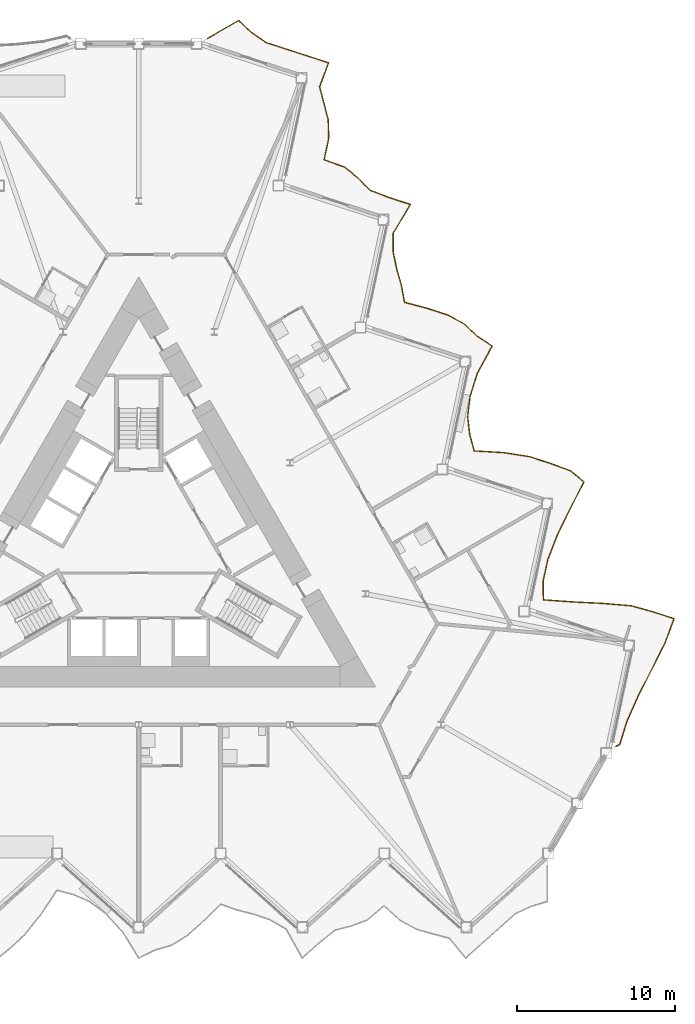
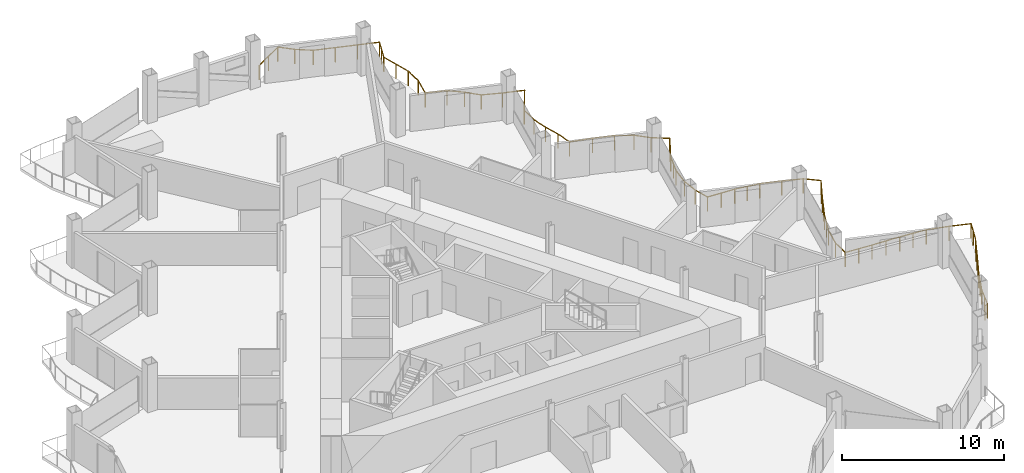
# One storey, part 21 of 23: 1 railing.
"""IFC4 building model written with IfcOpenShell, lengths in metres."""

import ifcopenshell
import ifcopenshell.guid

model = None  # the IFC model being written
_history = None  # IfcOwnerHistory: only IFC2X3 demands one
_inside = {}  # id of a spatial element -> (the spatial element, [elements in it])
_under = {}  # id of a project, library or spatial element -> (it, [spatial elements below it])
_declared = {}  # id of a project -> (the project, [libraries it declares])
_typed = {}  # id of a type object -> (the type object, [elements of that type])
_made_of = {}  # id of a material, layer set ... -> (it, [elements and type objects made of it])


def new_model(schema):
    """Start an empty IFC model of exactly this schema.

    Asked for "IFC4X3", IfcOpenShell would pick the latest addendum, in which some entities
    have other attributes; the version numbers below select the first issue.
    IFC2X3 requires an IfcOwnerHistory on every rooted entity: one is made here for all.
    """
    global model, _history
    if schema == "IFC4X3":
        model = ifcopenshell.file(schema_version=(4, 3, 0, 0))
    else:
        model = ifcopenshell.file(schema=schema)
    _inside.clear()
    _under.clear()
    _declared.clear()
    _typed.clear()
    _made_of.clear()
    _history = None
    if model.schema == "IFC2X3":
        org = make("IfcOrganization", Name="unknown")
        user = make(
            "IfcPersonAndOrganization",
            ThePerson=make("IfcPerson", FamilyName="unknown"),
            TheOrganization=org,
        )
        app = make(
            "IfcApplication",
            ApplicationDeveloper=org,
            Version="unknown",
            ApplicationFullName="unknown",
            ApplicationIdentifier="unknown",
        )
        _history = make(
            "IfcOwnerHistory",
            OwningUser=user,
            OwningApplication=app,
            ChangeAction="ADDED",
            CreationDate=0,
        )
    return model


def make(cls, **values):
    """One entity of the class cls with the attributes given. An attribute that is None is left unset."""
    return model.create_entity(
        cls, **{name: value for name, value in values.items() if value is not None}
    )


def rooted(cls, **values):
    """An entity with a GlobalId (a new one), such as an element, a storey or a relation."""
    return make(cls, GlobalId=ifcopenshell.guid.new(), OwnerHistory=_history, **values)


def si_unit(unit_type, name, prefix=None):
    """IfcSIUnit, for example si_unit("LENGTHUNIT", "METRE", prefix="MILLI")."""
    return make("IfcSIUnit", UnitType=unit_type, Prefix=prefix, Name=name)


def assignment(units):
    """IfcUnitAssignment: the units of a project."""
    return None if units is None else make("IfcUnitAssignment", Units=units)


def point(xyz):
    """IfcCartesianPoint."""
    return None if xyz is None else make("IfcCartesianPoint", Coordinates=xyz)


def direction(xyz):
    """IfcDirection."""
    return None if xyz is None else make("IfcDirection", DirectionRatios=xyz)


def frame(location, z_axis=None, x_axis=None):
    """IfcAxis2Placement3D, a coordinate frame: its origin and axes. An axis left out is left unset."""
    return make(
        "IfcAxis2Placement3D",
        Location=point(location),
        Axis=direction(z_axis),
        RefDirection=direction(x_axis),
    )


def frame_2d(location, x_axis=None):
    """IfcAxis2Placement2D, a coordinate frame in the plane: its origin and x axis."""
    return make(
        "IfcAxis2Placement2D", Location=point(location), RefDirection=direction(x_axis)
    )


def origin():
    """The frame at (0, 0, 0) with its axes left unset."""
    return frame((0.0, 0.0, 0.0))


def origin_2d():
    """The frame at (0, 0) in the plane with its x axis left unset."""
    return frame_2d((0.0, 0.0))


def place(relative_to, where):
    """IfcLocalPlacement: puts the frame where relative to a parent placement (None: the world)."""
    return make(
        "IfcLocalPlacement", PlacementRelTo=relative_to, RelativePlacement=where
    )


def context(
    kind, dimensions, precision=None, world=None, true_north=None, identifier=None
):
    """IfcGeometricRepresentationContext, for example the 3D "Model" context."""
    return make(
        "IfcGeometricRepresentationContext",
        ContextIdentifier=identifier,
        ContextType=kind,
        CoordinateSpaceDimension=dimensions,
        Precision=precision,
        WorldCoordinateSystem=world,
        TrueNorth=true_north,
    )


def subcontext(parent, identifier, kind, view, scale=None):
    """IfcGeometricRepresentationSubContext, for example "Body" below "Model"."""
    return make(
        "IfcGeometricRepresentationSubContext",
        ContextIdentifier=identifier,
        ContextType=kind,
        ParentContext=parent,
        TargetScale=scale,
        TargetView=view,
    )


def project(units=None, contexts=None):
    """IfcProject with its units and contexts."""
    return rooted(
        "IfcProject",
        Name="project",
        RepresentationContexts=contexts,
        UnitsInContext=assignment(units),
    )


def spatial(cls, under=None, at=None, **own):
    """A site, building, storey or space (cls), placed at a placement, below another one or the project."""
    s = rooted(cls, ObjectPlacement=at, **own)
    if under is not None:
        _under.setdefault(under.id(), (under, []))[1].append(s)
    return s


def profile(cls, at=None, kind="AREA", **sizes):
    """A parametric profile (cls). Its sizes go by their IFC names, for example OverallWidth=200.0."""
    return make(cls, ProfileType=kind, Position=at, **sizes)


def circle(**sizes):
    """IfcCircleProfileDef."""
    return profile("IfcCircleProfileDef", **sizes)


def extrude(swept, where, along, depth):
    """IfcExtrudedAreaSolid: the profile swept, set in the frame where, extruded along a direction by depth."""
    return make(
        "IfcExtrudedAreaSolid",
        SweptArea=swept,
        Position=where,
        ExtrudedDirection=direction(along),
        Depth=depth,
    )


def shape(context_of_items, identifier, shape_type, items):
    """IfcShapeRepresentation: the items that make up one representation, for example the "Body"."""
    return make(
        "IfcShapeRepresentation",
        ContextOfItems=context_of_items,
        RepresentationIdentifier=identifier,
        RepresentationType=shape_type,
        Items=items,
    )


def material(Name=None, Category=None):
    """IfcMaterial."""
    return make("IfcMaterial", Name=Name, Category=Category)


def made_of(thing, what):
    """Note that an element or type object is made of a material, layer set ...; save() writes the relation."""
    if what is not None:
        _made_of.setdefault(what.id(), (what, []))[1].append(thing)
    return thing


def type_object(cls, material=None, **own):
    """A type object (cls), such as IfcWallType, which elements share."""
    return made_of(rooted(cls, **own), material)


def element(
    cls,
    number,
    at=None,
    inside=None,
    cuts=None,
    type_object=None,
    material=None,
    context=None,
    identifier="Body",
    shape_type=None,
    held_by="IfcProductDefinitionShape",
    body=None,
    shapes=None,
    **own,
):
    """One element of the class cls, such as IfcWall. Its Tag is "e" and its number.

    at: its placement. inside: the storey or other place that contains it. cuts: it is an
    opening in that element (IfcRelVoidsElement). A single representation is given by context,
    identifier, shape_type and body (its items); several are given by shapes. held_by: the class
    of the entity that holds the representations. save() writes the other relations.
    """
    e = rooted(cls, Tag="e%d" % number, ObjectPlacement=at, **own)
    if body is not None:
        shapes = [shape(context, identifier, shape_type, body)]
    if shapes is not None:
        e.Representation = make(held_by, Representations=shapes)
    if inside is not None:
        _inside.setdefault(inside.id(), (inside, []))[1].append(e)
    if cuts is not None:
        rooted(
            "IfcRelVoidsElement", RelatingBuildingElement=cuts, RelatedOpeningElement=e
        )
    if type_object is not None:
        _typed.setdefault(type_object.id(), (type_object, []))[1].append(e)
    return made_of(e, material)


def aggregate(whole, parts):
    """IfcRelAggregates: a whole, such as a stair, and the parts it consists of."""
    return rooted("IfcRelAggregates", RelatingObject=whole, RelatedObjects=parts)


def save(model, path):
    """Write the relations noted so far, then the file.

    IfcRelAggregates (storeys below a building ...), IfcRelContainedInSpatialStructure (elements
    in a storey), IfcRelDefinesByType, IfcRelAssociatesMaterial and IfcRelDeclares: one each for
    every whole, place, type object, material and project.
    """
    for whole, parts in _under.values():
        aggregate(whole, parts)
    for where, things in _inside.values():
        rooted(
            "IfcRelContainedInSpatialStructure",
            RelatedElements=things,
            RelatingStructure=where,
        )
    for kind, things in _typed.values():
        rooted("IfcRelDefinesByType", RelatedObjects=things, RelatingType=kind)
    for what, things in _made_of.values():
        rooted("IfcRelAssociatesMaterial", RelatedObjects=things, RelatingMaterial=what)
    for by, libraries in _declared.values():
        rooted("IfcRelDeclares", RelatingContext=by, RelatedDefinitions=libraries)
    model.write(path)


model = new_model("IFC4")

# Units and contexts
model_context = context("Model", 3, precision=1e-05, world=origin(), true_north=direction((0.0, 1.0)))
body_context = subcontext(model_context, "Body", "Model", "MODEL_VIEW")
ifc_project = project(units=[si_unit("LENGTHUNIT", "METRE"), si_unit("AREAUNIT", "SQUARE_METRE"), si_unit("VOLUMEUNIT", "CUBIC_METRE"), si_unit("PLANEANGLEUNIT", "RADIAN"), si_unit("MASSUNIT", "GRAM", prefix="KILO")], contexts=[model_context])

# Site, building, storey
site_placement = place(None, origin())
site = spatial("IfcSite", under=ifc_project, at=site_placement, CompositionType="ELEMENT")
building_placement = place(site_placement, origin())
building = spatial("IfcBuilding", under=site, at=building_placement, Name="Cormorant Prow Tower", CompositionType="ELEMENT")
storey_placement = place(building_placement, frame((0.0, 0.0, 252.60009765625)))
storey = spatial("IfcBuildingStorey", under=building, at=storey_placement, Name="L56", CompositionType="ELEMENT", Elevation=252.60009765625)

# Railing
ifc_material = material(Name="Aluminium 6063-T6", Category="aluminium")
railing_type = type_object("IfcRailingType", Name="Balcony guard 1100", PredefinedType="GUARDRAIL", material=ifc_material)
railing_placement = place(storey_placement, frame((30.246337890625, -12.441162109375, 0.0)))
element("IfcRailing", 1, at=railing_placement, inside=storey, type_object=railing_type, Name="Balcony guard ENE", PredefinedType="GUARDRAIL", context=body_context, shape_type="SweptSolid", body=[
    extrude(circle(Radius=0.02392578125, at=origin_2d()), frame((0.0, 0.0, 1.076171875), z_axis=(0.866065156741, 0.499931139538, 0.0), x_axis=(-0.499931139538, 0.866065156741, 0.0)), (0.0, 0.0, 1.0), 0.27001953125),
    extrude(circle(Radius=0.02392578125, at=origin_2d()), frame((0.23388671875, 0.135009765625, 1.076171875), z_axis=(0.294299972374, 0.955713098299, 0.0), x_axis=(-0.955713098299, 0.294299972374, 0.0)), (0.0, 0.0, 1.0), 1.522216796875),
    extrude(circle(Radius=0.02392578125, at=origin_2d()), frame((0.681884765625, 1.58984375, 1.076171875), z_axis=(0.407127228951, 0.913371457539, 0.0), x_axis=(-0.913371457539, 0.407127228951, 0.0)), (0.0, 0.0, 1.0), 1.763671875),
    extrude(circle(Radius=0.02392578125, at=origin_2d()), frame((1.39990234375, 3.20068359375, 1.076171875), z_axis=(0.453979632385, 0.891012061299, 0.0), x_axis=(-0.891012061299, 0.453979632385, 0.0)), (0.0, 0.0, 1.0), 1.901611328125),
    extrude(circle(Radius=0.02392578125, at=origin_2d()), frame((2.26318359375, 4.89501953125, 1.076171875), z_axis=(0.447057728956, 0.894505107297, 0.0), x_axis=(-0.894505107297, 0.447057728956, 0.0)), (0.0, 0.0, 1.0), 1.879638671875),
    extrude(circle(Radius=0.02392578125, at=origin_2d()), frame((3.103515625, 6.576416015625, 1.076171875), z_axis=(0.350630761082, 0.93651378494, 0.0), x_axis=(-0.93651378494, 0.350630761082, 0.0)), (0.0, 0.0, 1.0), 1.62939453125),
    extrude(circle(Radius=0.02392578125, at=origin_2d()), frame((3.6748046875, 8.102294921875, 1.076171875), z_axis=(-0.951021197096, 0.309125674563, 0.0), x_axis=(-0.309125674563, -0.951021197096, 0.0)), (0.0, 0.0, 1.0), 1.39404296875),
    extrude(circle(Radius=0.02392578125, at=origin_2d()), frame((2.34912109375, 8.533203125, 1.076171875), z_axis=(-0.963748634798, 0.26681186054, 0.0), x_axis=(-0.26681186054, -0.963748634798, 0.0)), (0.0, 0.0, 1.0), 1.453125),
    extrude(circle(Radius=0.02392578125, at=origin_2d()), frame((0.94873046875, 8.9208984375, 1.076171875), z_axis=(-0.996428689002, 0.084438544128, 0.0), x_axis=(-0.084438544128, -0.996428689002, 0.0)), (0.0, 0.0, 1.0), 1.81298828125),
    extrude(circle(Radius=0.02392578125, at=origin_2d()), frame((-0.857666015625, 9.073974609375, 1.076171875), z_axis=(-0.998803697457, 0.04889963136, 0.0), x_axis=(-0.04889963136, -0.998803697457, 0.0)), (0.0, 0.0, 1.0), 1.912109375),
    extrude(circle(Radius=0.02392578125, at=origin_2d()), frame((-2.767578125, 9.16748046875, 1.076171875), z_axis=(-0.997431119576, 0.071632127575, 0.0), x_axis=(-0.071632127575, -0.997431119576, 0.0)), (0.0, 0.0, 1.0), 1.84716796875),
    extrude(circle(Radius=0.02392578125, at=origin_2d()), frame((-4.610107421875, 9.2998046875, 1.076171875), z_axis=(-0.007378360333, 0.999972779529, 0.0), x_axis=(-0.999972779529, -0.007378360333, 0.0)), (0.0, 0.0, 1.0), 1.191162109375),
    extrude(circle(Radius=0.02392578125, at=origin_2d()), frame((-4.618896484375, 10.490966796875, 1.076171875), z_axis=(0.212161625073, 0.977234590488, 0.0), x_axis=(-0.977234590488, 0.212161625073, 0.0)), (0.0, 0.0, 1.0), 1.399169921875),
    extrude(circle(Radius=0.02392578125, at=origin_2d()), frame((-4.322021484375, 11.8583984375, 1.076171875), z_axis=(0.362524550887, 0.931974221749, 0.0), x_axis=(-0.931974221749, 0.362524550887, 0.0)), (0.0, 0.0, 1.0), 1.6552734375),
    extrude(circle(Radius=0.02392578125, at=origin_2d()), frame((-3.721923828125, 13.401123046875, 1.076171875), z_axis=(0.43871164054, 0.898627896548, 0.0), x_axis=(-0.898627896548, 0.43871164054, 0.0)), (0.0, 0.0, 1.0), 1.853759765625),
    extrude(circle(Radius=0.02392578125, at=origin_2d()), frame((-2.90869140625, 15.06689453125, 1.076171875), z_axis=(0.456845668936, 0.889545971142, 0.0), x_axis=(-0.889545971142, 0.456845668936, 0.0)), (0.0, 0.0, 1.0), 1.9111328125),
    extrude(circle(Radius=0.02392578125, at=origin_2d()), frame((-2.03564453125, 16.766845703125, 1.076171875), z_axis=(-0.771413907703, 0.636333704122, 0.0), x_axis=(-0.636333704122, -0.771413907703, 0.0)), (0.0, 0.0, 1.0), 1.106201171875),
    extrude(circle(Radius=0.02392578125, at=origin_2d()), frame((-2.888916015625, 17.470703125, 1.076171875), z_axis=(-0.93895619029, 0.344036731638, 0.0), x_axis=(-0.344036731638, -0.93895619029, 0.0)), (0.0, 0.0, 1.0), 1.349609375),
    extrude(circle(Radius=0.02392578125, at=origin_2d()), frame((-4.15625, 17.93505859375, 1.076171875), z_axis=(-0.951021197096, 0.309125674563, 0.0), x_axis=(-0.309125674563, -0.951021197096, 0.0)), (0.0, 0.0, 1.0), 1.39404296875),
    extrude(circle(Radius=0.02392578125, at=origin_2d()), frame((-5.48193359375, 18.365966796875, 1.076171875), z_axis=(-0.987880369937, 0.155217185561, 0.0), x_axis=(-0.155217185561, -0.987880369937, 0.0)), (0.0, 0.0, 1.0), 1.6484375),
    extrude(circle(Radius=0.02392578125, at=origin_2d()), frame((-7.1103515625, 18.621826171875, 1.076171875), z_axis=(-0.998283298158, 0.058570100048, 0.0), x_axis=(-0.058570100048, -0.998283298158, 0.0)), (0.0, 0.0, 1.0), 1.884033203125),
    extrude(circle(Radius=0.02392578125, at=origin_2d()), frame((-8.9912109375, 18.732177734375, 1.076171875), z_axis=(-0.261786926871, 0.965125693845, 0.0), x_axis=(-0.965125693845, -0.261786926871, 0.0)), (0.0, 0.0, 1.0), 1.071533203125),
    extrude(circle(Radius=0.02392578125, at=origin_2d()), frame((-9.271728515625, 19.766357421875, 1.076171875), z_axis=(-0.114156334584, 0.993462798133, 0.0), x_axis=(-0.993462798133, -0.114156334584, 0.0)), (0.0, 0.0, 1.0), 1.129150390625),
    extrude(circle(Radius=0.02392578125, at=origin_2d()), frame((-9.400634765625, 20.88818359375, 1.076171875), z_axis=(0.112782096262, 0.993619745558, 0.0), x_axis=(-0.993619745558, 0.112782096262, 0.0)), (0.0, 0.0, 1.0), 1.2880859375),
    extrude(circle(Radius=0.02392578125, at=origin_2d()), frame((-9.25537109375, 22.16796875, 1.076171875), z_axis=(0.300902773755, 0.953654822641, 0.0), x_axis=(-0.953654822641, 0.300902773755, 0.0)), (0.0, 0.0, 1.0), 1.533447265625),
    extrude(circle(Radius=0.02392578125, at=origin_2d()), frame((-8.7939453125, 23.63037109375, 1.076171875), z_axis=(0.475674539098, 0.879621357662, 0.0), x_axis=(-0.879621357662, 0.475674539098, 0.0)), (0.0, 0.0, 1.0), 1.9775390625),
    extrude(circle(Radius=0.02392578125, at=origin_2d()), frame((-7.853271484375, 25.369873046875, 1.076171875), z_axis=(-0.832828955903, 0.553530423924, 0.0), x_axis=(-0.553530423924, -0.832828955903, 0.0)), (0.0, 0.0, 1.0), 1.156494140625),
    extrude(circle(Radius=0.02392578125, at=origin_2d()), frame((-8.81640625, 26.010009765625, 1.076171875), z_axis=(-0.72265659814, 0.691207234601, 0.0), x_axis=(-0.691207234601, -0.72265659814, 0.0)), (0.0, 0.0, 1.0), 1.0791015625),
    extrude(circle(Radius=0.02392578125, at=origin_2d()), frame((-9.59619140625, 26.755859375, 1.076171875), z_axis=(-0.877880193336, 0.478880325496, 0.0), x_axis=(-0.478880325496, -0.877880193336, 0.0)), (0.0, 0.0, 1.0), 1.21337890625),
    extrude(circle(Radius=0.02392578125, at=origin_2d()), frame((-10.661376953125, 27.3369140625, 1.076171875), z_axis=(-0.951021197096, 0.309125674563, 0.0), x_axis=(-0.309125674563, -0.951021197096, 0.0)), (0.0, 0.0, 1.0), 1.39404296875),
    extrude(circle(Radius=0.02392578125, at=origin_2d()), frame((-11.987060546875, 27.767822265625, 1.076171875), z_axis=(-0.966223886396, 0.257704096509, 0.0), x_axis=(-0.257704096509, -0.966223886396, 0.0)), (0.0, 0.0, 1.0), 1.466552734375),
    extrude(circle(Radius=0.02392578125, at=origin_2d()), frame((-13.404052734375, 28.145751953125, 1.076171875), z_axis=(-0.180721649259, 0.983534282823, 0.0), x_axis=(-0.983534282823, -0.180721649259, 0.0)), (0.0, 0.0, 1.0), 1.099609375),
    extrude(circle(Radius=0.02392578125, at=origin_2d()), frame((-13.602783203125, 29.227294921875, 1.076171875), z_axis=(-0.276291580603, 0.961073859018, 0.0), x_axis=(-0.961073859018, -0.276291580603, 0.0)), (0.0, 0.0, 1.0), 1.0673828125),
    extrude(circle(Radius=0.02392578125, at=origin_2d()), frame((-13.897705078125, 30.253173828125, 1.076171875), z_axis=(-0.202006381345, 0.979384205456, 0.0), x_axis=(-0.979384205456, -0.202006381345, 0.0)), (0.0, 0.0, 1.0), 1.09130859375),
    extrude(circle(Radius=0.02392578125, at=origin_2d()), frame((-14.1181640625, 31.322021484375, 1.076171875), z_axis=(0.002649267247, 0.999996490685, 0.0), x_axis=(-0.999996490685, 0.002649267247, 0.0)), (0.0, 0.0, 1.0), 1.197998046875),
    extrude(circle(Radius=0.02392578125, at=origin_2d()), frame((-14.114990234375, 32.52001953125, 1.076171875), z_axis=(0.510813011647, 0.859691844286, 0.0), x_axis=(-0.859691844286, 0.510813011647, 0.0)), (0.0, 0.0, 1.0), 2.1181640625),
    extrude(circle(Radius=0.02392578125, at=origin_2d()), frame((-13.032958984375, 34.341064453125, 1.076171875), z_axis=(-0.95107267583, 0.308967256015, 0.0), x_axis=(-0.308967256015, -0.95107267583, 0.0)), (0.0, 0.0, 1.0), 1.393798828125),
    extrude(circle(Radius=0.02392578125, at=origin_2d()), frame((-14.358642578125, 34.771728515625, 1.076171875), z_axis=(-0.933830730851, 0.357715202526, 0.0), x_axis=(-0.357715202526, -0.933830730851, 0.0)), (0.0, 0.0, 1.0), 1.33349609375),
    extrude(circle(Radius=0.02392578125, at=origin_2d()), frame((-15.60400390625, 35.248779296875, 1.076171875), z_axis=(-0.696399223042, 0.717654598081, 0.0), x_axis=(-0.717654598081, -0.696399223042, 0.0)), (0.0, 0.0, 1.0), 1.068115234375),
    extrude(circle(Radius=0.02392578125, at=origin_2d()), frame((-16.347900390625, 36.015380859375, 1.076171875), z_axis=(-0.776490869114, 0.630128502912, 0.0), x_axis=(-0.630128502912, -0.776490869114, 0.0)), (0.0, 0.0, 1.0), 1.109375),
    extrude(circle(Radius=0.02392578125, at=origin_2d()), frame((-17.209228515625, 36.71435546875, 1.076171875), z_axis=(-0.942429568351, 0.334404707948, 0.0), x_axis=(-0.334404707948, -0.942429568351, 0.0)), (0.0, 0.0, 1.0), 1.361572265625),
    extrude(circle(Radius=0.02392578125, at=origin_2d()), frame((-18.492431640625, 37.169677734375, 1.076171875), z_axis=(0.207890175504, 0.978152173708, 0.0), x_axis=(-0.978152173708, 0.207890175504, 0.0)), (0.0, 0.0, 1.0), 1.39404296875),
    extrude(circle(Radius=0.02392578125, at=origin_2d()), frame((-18.20263671875, 38.533203125, 1.076171875), z_axis=(-0.02904544062, 0.999578092186, 0.0), x_axis=(-0.999578092186, -0.02904544062, 0.0)), (0.0, 0.0, 1.0), 1.1767578125),
    extrude(circle(Radius=0.02392578125, at=origin_2d()), frame((-18.23681640625, 39.70947265625, 1.076171875), z_axis=(-0.250970040909, 0.967994854618, 0.0), x_axis=(-0.967994854618, -0.250970040909, 0.0)), (0.0, 0.0, 1.0), 1.074951171875),
    extrude(circle(Radius=0.02392578125, at=origin_2d()), frame((-18.506591796875, 40.75, 1.076171875), z_axis=(-0.258356799597, 0.966049566069, 0.0), x_axis=(-0.966049566069, -0.258356799597, 0.0)), (0.0, 0.0, 1.0), 1.072509765625),
    extrude(circle(Radius=0.02392578125, at=origin_2d()), frame((-18.78369140625, 41.7861328125, 1.076171875), z_axis=(0.350630761082, 0.93651378494, 0.0), x_axis=(-0.93651378494, 0.350630761082, 0.0)), (0.0, 0.0, 1.0), 1.62939453125),
    extrude(circle(Radius=0.02392578125, at=origin_2d()), frame((-18.21240234375, 43.31201171875, 1.076171875), z_axis=(-0.951021197096, 0.309125674563, 0.0), x_axis=(-0.309125674563, -0.951021197096, 0.0)), (0.0, 0.0, 1.0), 1.39404296875),
    extrude(circle(Radius=0.02392578125, at=origin_2d()), frame((-19.5380859375, 43.742919921875, 1.076171875), z_axis=(-0.95107267583, 0.308967256015, 0.0), x_axis=(-0.308967256015, -0.95107267583, 0.0)), (0.0, 0.0, 1.0), 1.393798828125),
    extrude(circle(Radius=0.02392578125, at=origin_2d()), frame((-20.86376953125, 44.173583984375, 1.076171875), z_axis=(-0.95107267583, 0.308967256015, 0.0), x_axis=(-0.308967256015, -0.95107267583, 0.0)), (0.0, 0.0, 1.0), 1.393798828125),
    extrude(circle(Radius=0.02392578125, at=origin_2d()), frame((-22.189453125, 44.604248046875, 1.076171875), z_axis=(-0.81973305197, 0.572745775635, 0.0), x_axis=(-0.572745775635, -0.81973305197, 0.0)), (0.0, 0.0, 1.0), 1.1435546875),
    extrude(circle(Radius=0.02392578125, at=origin_2d()), frame((-23.126953125, 45.25927734375, 1.076171875), z_axis=(-0.726267218488, 0.687412487048, 0.0), x_axis=(-0.687412487048, -0.726267218488, 0.0)), (0.0, 0.0, 1.0), 1.080810546875),
    extrude(circle(Radius=0.02392578125, at=origin_2d()), frame((-23.911865234375, 46.002197265625, 1.076171875), z_axis=(-0.866052595322, -0.499952899918, 0.0), x_axis=(0.499952899918, -0.866052595322, 0.0)), (0.0, 0.0, 1.0), 2.292724609375),
    extrude(circle(Radius=0.02099609375, at=origin_2d()), origin(), (0.0, 0.0, 1.0), 1.052001953125),
    extrude(circle(Radius=0.02099609375, at=origin_2d()), frame((0.23388671875, 0.135009765625, 0.0)), (0.0, 0.0, 1.0), 1.052001953125),
    extrude(circle(Radius=0.02099609375, at=origin_2d()), frame((0.4580078125, 0.8623046875, 0.0)), (0.0, 0.0, 1.0), 1.052001953125),
    extrude(circle(Radius=0.02099609375, at=origin_2d()), frame((0.681884765625, 1.58984375, 0.0)), (0.0, 0.0, 1.0), 1.052001953125),
    extrude(circle(Radius=0.02099609375, at=origin_2d()), frame((1.041015625, 2.395263671875, 0.0)), (0.0, 0.0, 1.0), 1.052001953125),
    extrude(circle(Radius=0.02099609375, at=origin_2d()), frame((1.39990234375, 3.20068359375, 0.0)), (0.0, 0.0, 1.0), 1.052001953125),
    extrude(circle(Radius=0.02099609375, at=origin_2d()), frame((1.83154296875, 4.0478515625, 0.0)), (0.0, 0.0, 1.0), 1.052001953125),
    extrude(circle(Radius=0.02099609375, at=origin_2d()), frame((2.26318359375, 4.89501953125, 0.0)), (0.0, 0.0, 1.0), 1.052001953125),
    extrude(circle(Radius=0.02099609375, at=origin_2d()), frame((2.683349609375, 5.73583984375, 0.0)), (0.0, 0.0, 1.0), 1.052001953125),
    extrude(circle(Radius=0.02099609375, at=origin_2d()), frame((3.103515625, 6.576416015625, 0.0)), (0.0, 0.0, 1.0), 1.052001953125),
    extrude(circle(Radius=0.02099609375, at=origin_2d()), frame((3.38916015625, 7.33935546875, 0.0)), (0.0, 0.0, 1.0), 1.052001953125),
    extrude(circle(Radius=0.02099609375, at=origin_2d()), frame((3.6748046875, 8.102294921875, 0.0)), (0.0, 0.0, 1.0), 1.052001953125),
    extrude(circle(Radius=0.02099609375, at=origin_2d()), frame((2.34912109375, 8.533203125, 0.0)), (0.0, 0.0, 1.0), 1.052001953125),
    extrude(circle(Radius=0.02099609375, at=origin_2d()), frame((0.94873046875, 8.9208984375, 0.0)), (0.0, 0.0, 1.0), 1.052001953125),
    extrude(circle(Radius=0.02099609375, at=origin_2d()), frame((0.04541015625, 8.99755859375, 0.0)), (0.0, 0.0, 1.0), 1.052001953125),
    extrude(circle(Radius=0.02099609375, at=origin_2d()), frame((-0.857666015625, 9.073974609375, 0.0)), (0.0, 0.0, 1.0), 1.052001953125),
    extrude(circle(Radius=0.02099609375, at=origin_2d()), frame((-1.8125, 9.12060546875, 0.0)), (0.0, 0.0, 1.0), 1.052001953125),
    extrude(circle(Radius=0.02099609375, at=origin_2d()), frame((-2.767578125, 9.16748046875, 0.0)), (0.0, 0.0, 1.0), 1.052001953125),
    extrude(circle(Radius=0.02099609375, at=origin_2d()), frame((-3.68896484375, 9.233642578125, 0.0)), (0.0, 0.0, 1.0), 1.052001953125),
    extrude(circle(Radius=0.02099609375, at=origin_2d()), frame((-4.610107421875, 9.2998046875, 0.0)), (0.0, 0.0, 1.0), 1.052001953125),
    extrude(circle(Radius=0.02099609375, at=origin_2d()), frame((-4.618896484375, 10.490966796875, 0.0)), (0.0, 0.0, 1.0), 1.052001953125),
    extrude(circle(Radius=0.02099609375, at=origin_2d()), frame((-4.322021484375, 11.8583984375, 0.0)), (0.0, 0.0, 1.0), 1.052001953125),
    extrude(circle(Radius=0.02099609375, at=origin_2d()), frame((-4.02197265625, 12.6298828125, 0.0)), (0.0, 0.0, 1.0), 1.052001953125),
    extrude(circle(Radius=0.02099609375, at=origin_2d()), frame((-3.721923828125, 13.401123046875, 0.0)), (0.0, 0.0, 1.0), 1.052001953125),
    extrude(circle(Radius=0.02099609375, at=origin_2d()), frame((-3.3154296875, 14.23388671875, 0.0)), (0.0, 0.0, 1.0), 1.052001953125),
    extrude(circle(Radius=0.02099609375, at=origin_2d()), frame((-2.90869140625, 15.06689453125, 0.0)), (0.0, 0.0, 1.0), 1.052001953125),
    extrude(circle(Radius=0.02099609375, at=origin_2d()), frame((-2.47216796875, 15.9169921875, 0.0)), (0.0, 0.0, 1.0), 1.052001953125),
    extrude(circle(Radius=0.02099609375, at=origin_2d()), frame((-2.03564453125, 16.766845703125, 0.0)), (0.0, 0.0, 1.0), 1.052001953125),
    extrude(circle(Radius=0.02099609375, at=origin_2d()), frame((-2.888916015625, 17.470703125, 0.0)), (0.0, 0.0, 1.0), 1.052001953125),
    extrude(circle(Radius=0.02099609375, at=origin_2d()), frame((-4.15625, 17.93505859375, 0.0)), (0.0, 0.0, 1.0), 1.052001953125),
    extrude(circle(Radius=0.02099609375, at=origin_2d()), frame((-5.48193359375, 18.365966796875, 0.0)), (0.0, 0.0, 1.0), 1.052001953125),
    extrude(circle(Radius=0.02099609375, at=origin_2d()), frame((-6.296142578125, 18.493896484375, 0.0)), (0.0, 0.0, 1.0), 1.052001953125),
    extrude(circle(Radius=0.02099609375, at=origin_2d()), frame((-7.1103515625, 18.621826171875, 0.0)), (0.0, 0.0, 1.0), 1.052001953125),
    extrude(circle(Radius=0.02099609375, at=origin_2d()), frame((-8.05078125, 18.677001953125, 0.0)), (0.0, 0.0, 1.0), 1.052001953125),
    extrude(circle(Radius=0.02099609375, at=origin_2d()), frame((-8.9912109375, 18.732177734375, 0.0)), (0.0, 0.0, 1.0), 1.052001953125),
    extrude(circle(Radius=0.02099609375, at=origin_2d()), frame((-9.271728515625, 19.766357421875, 0.0)), (0.0, 0.0, 1.0), 1.052001953125),
    extrude(circle(Radius=0.02099609375, at=origin_2d()), frame((-9.400634765625, 20.88818359375, 0.0)), (0.0, 0.0, 1.0), 1.052001953125),
    extrude(circle(Radius=0.02099609375, at=origin_2d()), frame((-9.25537109375, 22.16796875, 0.0)), (0.0, 0.0, 1.0), 1.052001953125),
    extrude(circle(Radius=0.02099609375, at=origin_2d()), frame((-9.024658203125, 22.899169921875, 0.0)), (0.0, 0.0, 1.0), 1.052001953125),
    extrude(circle(Radius=0.02099609375, at=origin_2d()), frame((-8.7939453125, 23.63037109375, 0.0)), (0.0, 0.0, 1.0), 1.052001953125),
    extrude(circle(Radius=0.02099609375, at=origin_2d()), frame((-8.32373046875, 24.5, 0.0)), (0.0, 0.0, 1.0), 1.052001953125),
    extrude(circle(Radius=0.02099609375, at=origin_2d()), frame((-7.853271484375, 25.369873046875, 0.0)), (0.0, 0.0, 1.0), 1.052001953125),
    extrude(circle(Radius=0.02099609375, at=origin_2d()), frame((-8.81640625, 26.010009765625, 0.0)), (0.0, 0.0, 1.0), 1.052001953125),
    extrude(circle(Radius=0.02099609375, at=origin_2d()), frame((-9.59619140625, 26.755859375, 0.0)), (0.0, 0.0, 1.0), 1.052001953125),
    extrude(circle(Radius=0.02099609375, at=origin_2d()), frame((-10.661376953125, 27.3369140625, 0.0)), (0.0, 0.0, 1.0), 1.052001953125),
    extrude(circle(Radius=0.02099609375, at=origin_2d()), frame((-11.987060546875, 27.767822265625, 0.0)), (0.0, 0.0, 1.0), 1.052001953125),
    extrude(circle(Radius=0.02099609375, at=origin_2d()), frame((-13.404052734375, 28.145751953125, 0.0)), (0.0, 0.0, 1.0), 1.052001953125),
    extrude(circle(Radius=0.02099609375, at=origin_2d()), frame((-13.602783203125, 29.227294921875, 0.0)), (0.0, 0.0, 1.0), 1.052001953125),
    extrude(circle(Radius=0.02099609375, at=origin_2d()), frame((-13.897705078125, 30.253173828125, 0.0)), (0.0, 0.0, 1.0), 1.052001953125),
    extrude(circle(Radius=0.02099609375, at=origin_2d()), frame((-14.1181640625, 31.322021484375, 0.0)), (0.0, 0.0, 1.0), 1.052001953125),
    extrude(circle(Radius=0.02099609375, at=origin_2d()), frame((-14.114990234375, 32.52001953125, 0.0)), (0.0, 0.0, 1.0), 1.052001953125),
    extrude(circle(Radius=0.02099609375, at=origin_2d()), frame((-13.573974609375, 33.4306640625, 0.0)), (0.0, 0.0, 1.0), 1.052001953125),
    extrude(circle(Radius=0.02099609375, at=origin_2d()), frame((-13.032958984375, 34.341064453125, 0.0)), (0.0, 0.0, 1.0), 1.052001953125),
    extrude(circle(Radius=0.02099609375, at=origin_2d()), frame((-14.358642578125, 34.771728515625, 0.0)), (0.0, 0.0, 1.0), 1.052001953125),
    extrude(circle(Radius=0.02099609375, at=origin_2d()), frame((-15.60400390625, 35.248779296875, 0.0)), (0.0, 0.0, 1.0), 1.052001953125),
    extrude(circle(Radius=0.02099609375, at=origin_2d()), frame((-16.347900390625, 36.015380859375, 0.0)), (0.0, 0.0, 1.0), 1.052001953125),
    extrude(circle(Radius=0.02099609375, at=origin_2d()), frame((-17.209228515625, 36.71435546875, 0.0)), (0.0, 0.0, 1.0), 1.052001953125),
    extrude(circle(Radius=0.02099609375, at=origin_2d()), frame((-18.492431640625, 37.169677734375, 0.0)), (0.0, 0.0, 1.0), 1.052001953125),
    extrude(circle(Radius=0.02099609375, at=origin_2d()), frame((-18.20263671875, 38.533203125, 0.0)), (0.0, 0.0, 1.0), 1.052001953125),
    extrude(circle(Radius=0.02099609375, at=origin_2d()), frame((-18.23681640625, 39.70947265625, 0.0)), (0.0, 0.0, 1.0), 1.052001953125),
    extrude(circle(Radius=0.02099609375, at=origin_2d()), frame((-18.506591796875, 40.75, 0.0)), (0.0, 0.0, 1.0), 1.052001953125),
    extrude(circle(Radius=0.02099609375, at=origin_2d()), frame((-18.78369140625, 41.7861328125, 0.0)), (0.0, 0.0, 1.0), 1.052001953125),
    extrude(circle(Radius=0.02099609375, at=origin_2d()), frame((-18.498046875, 42.549072265625, 0.0)), (0.0, 0.0, 1.0), 1.052001953125),
    extrude(circle(Radius=0.02099609375, at=origin_2d()), frame((-18.21240234375, 43.31201171875, 0.0)), (0.0, 0.0, 1.0), 1.052001953125),
    extrude(circle(Radius=0.02099609375, at=origin_2d()), frame((-19.5380859375, 43.742919921875, 0.0)), (0.0, 0.0, 1.0), 1.052001953125),
    extrude(circle(Radius=0.02099609375, at=origin_2d()), frame((-20.86376953125, 44.173583984375, 0.0)), (0.0, 0.0, 1.0), 1.052001953125),
    extrude(circle(Radius=0.02099609375, at=origin_2d()), frame((-22.189453125, 44.604248046875, 0.0)), (0.0, 0.0, 1.0), 1.052001953125),
    extrude(circle(Radius=0.02099609375, at=origin_2d()), frame((-23.126953125, 45.25927734375, 0.0)), (0.0, 0.0, 1.0), 1.052001953125),
    extrude(circle(Radius=0.02099609375, at=origin_2d()), frame((-23.911865234375, 46.002197265625, 0.0)), (0.0, 0.0, 1.0), 1.052001953125),
    extrude(circle(Radius=0.02099609375, at=origin_2d()), frame((-24.90478515625, 45.42919921875, 0.0)), (0.0, 0.0, 1.0), 1.052001953125),
    extrude(circle(Radius=0.02099609375, at=origin_2d()), frame((-25.8974609375, 44.85595703125, 0.0)), (0.0, 0.0, 1.0), 1.052001953125),
])

save(model, "model.ifc")
